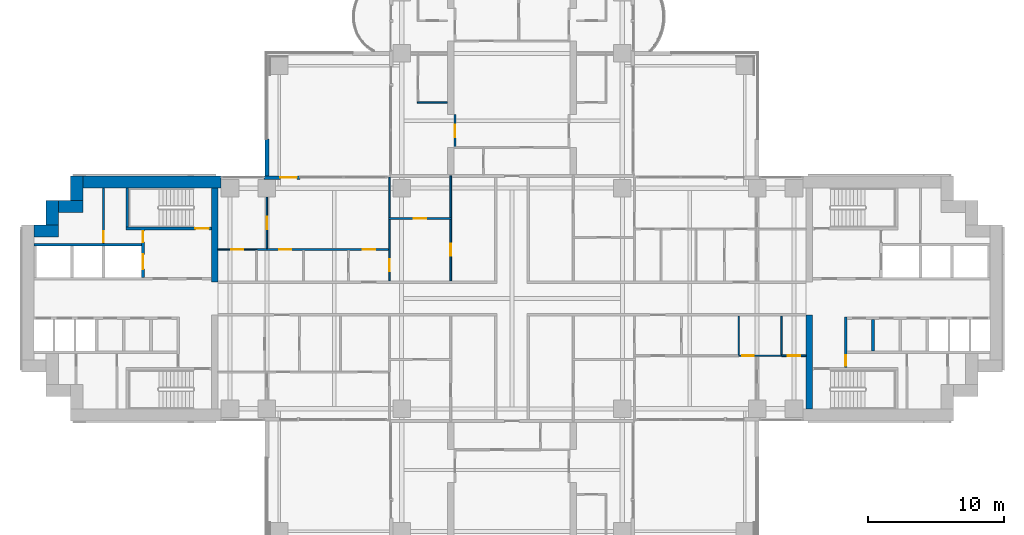
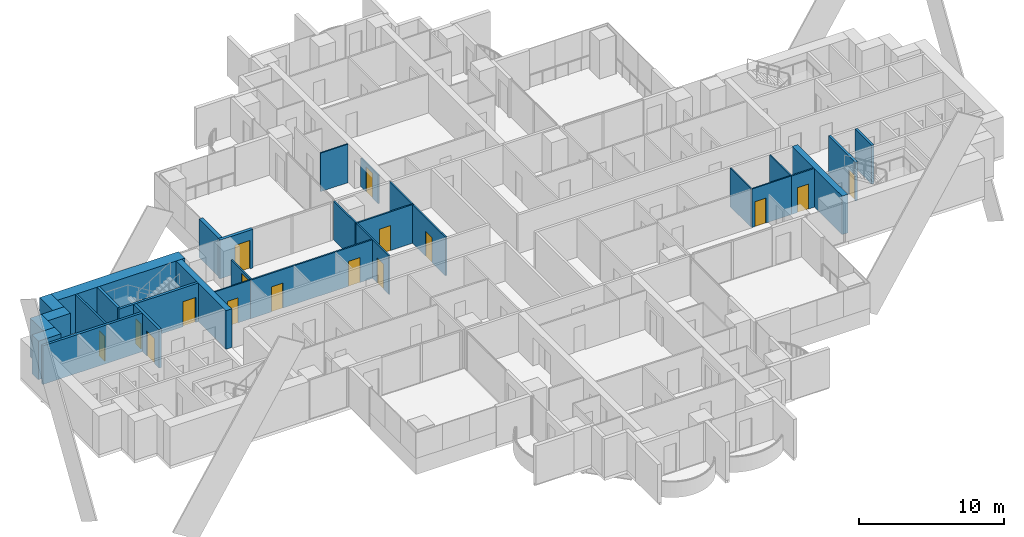
# One storey, part 14 of 23: 28 walls, 16 doors, 16 openings.
"""IFC4 building model written with IfcOpenShell, lengths in metres."""

from ifc_helpers import new_model, si_unit, direction, frame, frame_2d, origin, place, context, subcontext, project, spatial, rectangle, extrude, material, layer, layer_set, type_object, element, fill, save


model = new_model("IFC4")

# Units and contexts
model_context = context("Model", 3, precision=1e-05, world=origin(), true_north=direction((0.0, 1.0)))
body_context = subcontext(model_context, "Body", "Model", "MODEL_VIEW")
ifc_project = project(units=[si_unit("LENGTHUNIT", "METRE"), si_unit("AREAUNIT", "SQUARE_METRE"), si_unit("VOLUMEUNIT", "CUBIC_METRE"), si_unit("PLANEANGLEUNIT", "RADIAN"), si_unit("MASSUNIT", "GRAM", prefix="KILO")], contexts=[model_context])

# Site, building, storey
site_placement = place(None, origin())
site = spatial("IfcSite", under=ifc_project, at=site_placement, CompositionType="ELEMENT")
building_placement = place(site_placement, origin())
building = spatial("IfcBuilding", under=site, at=building_placement, Name="Perihelion Cross Residences", CompositionType="ELEMENT")
storey_placement = place(building_placement, frame((0.0, 0.0, 85.5)))
storey = spatial("IfcBuildingStorey", under=building, at=storey_placement, Name="L19", CompositionType="ELEMENT", Elevation=85.5)

# Wall, opening, door
ifc_material_1 = material(Name="Concrete C30/37, bronze-clad", Category="concrete")
ifc_layer_1 = layer(ifc_material_1, 0.25)
ifc_layer_set_1 = layer_set([ifc_layer_1], Name="Bronze-clad pier wall 250")
wall_type_1 = type_object("IfcWallType", Name="Bronze-clad pier wall 250", PredefinedType="SOLIDWALL", material=ifc_layer_set_1)
wall_1_placement = place(storey_placement, frame((-15.550048828125, 8.875, 0.0), z_axis=(0.0, 0.0, 1.0), x_axis=(-1.0, 0.0, 0.0)))
wall_1 = element("IfcWall", 1, at=wall_1_placement, inside=storey, type_object=wall_type_1, Name="Wall FW1 L19 west side north bay 1 pier", PredefinedType="SOLIDWALL", context=body_context, shape_type="SweptSolid", body=[
    extrude(rectangle(XDim=2.64990234375, YDim=0.25, at=frame_2d((1.324951171875, 0.0))), origin(), (0.0, 0.0, 1.0), 3.25),
])
opening_1_placement = place(wall_1_placement, frame((0.25, 0.0, 0.0)))
opening_1 = element("IfcOpeningElement", 2, at=opening_1_placement, cuts=wall_1, Name="Opening L19.E08", PredefinedType="OPENING", context=body_context, shape_type="SweptSolid", body=[
    extrude(rectangle(XDim=1.199951171875, YDim=2.39990234375, at=frame_2d((0.60009765625, 1.199951171875))), frame((0.0, 0.135009765625, 0.0), z_axis=(0.0, -1.0, 0.0), x_axis=(1.0, 0.0, 0.0)), (0.0, 0.0, 1.0), 0.27001953125),
])
ifc_material_2 = material(Name="Bronze anodised aluminium, glazed", Category="aluminium")
door_type_1 = type_object("IfcDoorType", Name="Balcony door 1200 x 2400", OperationType="NOTDEFINED", PredefinedType="DOOR", material=ifc_material_2)
door_1_placement = place(opening_1_placement, origin())
door_1 = element("IfcDoor", 3, at=door_1_placement, inside=storey, type_object=door_type_1, Name="Door L19.E08 west side north bay 1", OperationType="SINGLE_SWING_LEFT", OverallHeight=2.39990234375, OverallWidth=1.199951171875, PredefinedType="DOOR", context=body_context, shape_type="SweptSolid", body=[
    extrude(rectangle(XDim=1.199951171875, YDim=2.39990234375, at=frame_2d((0.60009765625, 1.199951171875))), frame((0.0, 0.02490234375, 0.0), z_axis=(0.0, -1.0, 0.0), x_axis=(1.0, 0.0, 0.0)), (0.0, 0.0, 1.0), 0.050048828125),
])
fill(opening_1, door_1)

# Walls
ifc_material_3 = material(Name="Concrete C60/75", Category="concrete")
ifc_layer_2 = layer(ifc_material_3, 0.449951171875)
ifc_layer_set_2 = layer_set([ifc_layer_2], Name="Core wall, inner 450")
wall_type_2 = type_object("IfcWallType", Name="Core wall, inner 450", PredefinedType="SHEAR", material=ifc_layer_set_2)
for number, where, z_axis, x_axis, name in (
    (4, (21.824951171875, -8.10009765625, 0.0), (0.0, 0.0, 1.0), (0.0, 1.0, 0.0), "East core core wall, inner"),
    (5, (-21.824951171875, 1.199951171875, 0.0), (0.0, 0.0, 1.0), (0.0, 1.0, 0.0), "West core core wall, inner"),
):
    element("IfcWall", number, at=place(storey_placement, frame(where, z_axis=z_axis, x_axis=x_axis)), inside=storey, type_object=wall_type_2, Name=name, PredefinedType="SHEAR", context=body_context, shape_type="SweptSolid", body=[
        extrude(rectangle(XDim=6.900146484375, YDim=0.449951171875, at=frame_2d((3.4501953125, 0.0))), origin(), (0.0, 0.0, 1.0), 3.25),
    ])
ifc_material_4 = material(Name="Concrete C60/75", Category="concrete")
ifc_layer_3 = layer(ifc_material_4, 0.89990234375)
ifc_layer_set_3 = layer_set([ifc_layer_3], Name="Core wall, outer 900")
wall_type_3 = type_object("IfcWallType", Name="Core wall, outer 900", PredefinedType="SHEAR", material=ifc_layer_set_3)
for number, where, z_axis, x_axis, name in (
    (6, (-35.10009765625, 4.949951171875, 0.0), (0.0, 0.0, 1.0), (1.0, 0.0, 0.0), "West core core wall, outer"),
    (7, (-33.75, 5.39990234375, 0.0), (0.0, 0.0, 1.0), (0.0, 1.0, 0.0), "West core core wall, outer"),
    (8, (-33.300048828125, 6.75, 0.0), (0.0, 0.0, 1.0), (1.0, 0.0, 0.0), "West core core wall, outer"),
    (9, (-31.949951171875, 7.199951171875, 0.0), (0.0, 0.0, 1.0), (0.0, 1.0, 0.0), "West core core wall, outer"),
):
    element("IfcWall", number, at=place(storey_placement, frame(where, z_axis=z_axis, x_axis=x_axis)), inside=storey, type_object=wall_type_3, Name=name, PredefinedType="SHEAR", context=body_context, shape_type="SweptSolid", body=[
        extrude(rectangle(XDim=1.800048828125, YDim=0.89990234375, at=frame_2d((0.89990234375, 0.0))), origin(), (0.0, 0.0, 1.0), 3.25),
    ])
wall_2_placement = place(storey_placement, frame((-31.5, 8.550048828125, 0.0), z_axis=(0.0, 0.0, 1.0), x_axis=(1.0, 0.0, 0.0)))
element("IfcWall", 10, at=wall_2_placement, inside=storey, type_object=wall_type_3, Name="West core core wall, outer", PredefinedType="SHEAR", context=body_context, shape_type="SweptSolid", body=[
    extrude(rectangle(XDim=10.14990234375, YDim=0.89990234375, at=frame_2d((5.074951171875, 0.0))), origin(), (0.0, 0.0, 1.0), 3.25),
])

# Wall, opening, door
ifc_material_5 = material(Name="Plasterboard partition")
ifc_layer_4 = layer(ifc_material_5, 0.1201171875)
ifc_layer_set_4 = layer_set([ifc_layer_4], Name="Infill panel 120")
wall_type_4 = type_object("IfcWallType", Name="Infill panel 120", PredefinedType="PARTITIONING", material=ifc_layer_set_4)
wall_3_placement = place(storey_placement, frame((-4.18994140625, 11.10009765625, 0.0), z_axis=(0.0, 0.0, 1.0), x_axis=(0.0, 1.0, 0.0)))
wall_3 = element("IfcWall", 11, at=wall_3_placement, inside=storey, type_object=wall_type_4, Name="Partition L19 WI03", PredefinedType="PARTITIONING", context=body_context, shape_type="SweptSolid", body=[
    extrude(rectangle(XDim=2.39990234375, YDim=0.1201171875, at=frame_2d((1.199951171875, 0.0))), origin(), (0.0, 0.0, 1.0), 2.39990234375),
])
opening_2_placement = place(wall_3_placement, frame((0.75, 0.0, 0.0)))
opening_2 = element("IfcOpeningElement", 12, at=opening_2_placement, cuts=wall_3, Name="Opening L19.A59", PredefinedType="OPENING", context=body_context, shape_type="SweptSolid", body=[
    extrude(rectangle(XDim=0.89990234375, YDim=2.10009765625, at=frame_2d((0.449951171875, 1.050048828125))), frame((0.0, 0.070068359375, 0.0), z_axis=(0.0, -1.0, 0.0), x_axis=(1.0, 0.0, 0.0)), (0.0, 0.0, 1.0), 0.14013671875),
])
ifc_material_6 = material(Name="Timber door leaf", Category="wood")
door_type_2 = type_object("IfcDoorType", Name="Interior room door 900 x 2100", OperationType="SINGLE_SWING_LEFT", PredefinedType="DOOR", material=ifc_material_6)
door_2_placement = place(opening_2_placement, origin())
door_2 = element("IfcDoor", 13, at=door_2_placement, inside=storey, type_object=door_type_2, Name="Door L19.A59", OperationType="SINGLE_SWING_RIGHT", OverallHeight=2.10009765625, OverallWidth=0.89990234375, PredefinedType="DOOR", context=body_context, shape_type="SweptSolid", body=[
    extrude(rectangle(XDim=0.89990234375, YDim=2.10009765625, at=frame_2d((0.449951171875, 1.050048828125))), frame((0.0, 0.02490234375, 0.0), z_axis=(0.0, -1.0, 0.0), x_axis=(1.0, 0.0, 0.0)), (0.0, 0.0, 1.0), 0.050048828125),
])
fill(opening_2, door_2)

ifc_material_7 = material(Name="Concrete C50/60", Category="concrete")
ifc_layer_5 = layer(ifc_material_7, 0.199951171875)
ifc_layer_set_5 = layer_set([ifc_layer_5], Name="Lobby wall 200")
wall_type_5 = type_object("IfcWallType", Name="Lobby wall 200", PredefinedType="SOLIDWALL", material=ifc_layer_set_5)
wall_4_placement = place(storey_placement, frame((24.5, -5.050048828125, 0.0), z_axis=(0.0, 0.0, 1.0), x_axis=(0.0, 1.0, 0.0)))
wall_4 = element("IfcWall", 14, at=wall_4_placement, inside=storey, type_object=wall_type_5, Name="East core lobby wall", PredefinedType="SOLIDWALL", context=body_context, shape_type="SweptSolid", body=[
    extrude(rectangle(XDim=3.699951171875, YDim=0.199951171875, at=frame_2d((1.85009765625, 0.0))), origin(), (0.0, 0.0, 1.0), 3.25),
])
opening_3_placement = place(wall_4_placement, frame((0.10009765625, 0.0, 0.0)))
opening_3 = element("IfcOpeningElement", 15, at=opening_3_placement, cuts=wall_4, Name="Opening L19.C08", PredefinedType="OPENING", context=body_context, shape_type="SweptSolid", body=[
    extrude(rectangle(XDim=0.800048828125, YDim=2.10009765625, at=frame_2d((0.39990234375, 1.050048828125))), frame((0.0, 0.10986328125, 0.0), z_axis=(0.0, -1.0, 0.0), x_axis=(1.0, 0.0, 0.0)), (0.0, 0.0, 1.0), 0.219970703125),
])
ifc_material_8 = material(Name="Steel, powder coated", Category="steel")
door_type_3 = type_object("IfcDoorType", Name="Riser door 800", OperationType="SINGLE_SWING_LEFT", PredefinedType="DOOR", material=ifc_material_8)
door_3_placement = place(opening_3_placement, origin())
door_3 = element("IfcDoor", 16, at=door_3_placement, inside=storey, type_object=door_type_3, Name="East core riser door", OperationType="SINGLE_SWING_LEFT", OverallHeight=2.10009765625, OverallWidth=0.800048828125, PredefinedType="DOOR", context=body_context, shape_type="SweptSolid", body=[
    extrude(rectangle(XDim=0.800048828125, YDim=2.10009765625, at=frame_2d((0.39990234375, 1.050048828125))), frame((0.0, 0.02490234375, 0.0), z_axis=(0.0, -1.0, 0.0), x_axis=(1.0, 0.0, 0.0)), (0.0, 0.0, 1.0), 0.050048828125),
])
fill(opening_3, door_3)

ifc_material_9 = material(Name="Plasterboard partition")
ifc_layer_6 = layer(ifc_material_9, 0.1201171875)
ifc_layer_set_6 = layer_set([ifc_layer_6], Name="Partition wall 120")
wall_type_6 = type_object("IfcWallType", Name="Partition wall 120", PredefinedType="PARTITIONING", material=ifc_layer_set_6)
wall_5_placement = place(storey_placement, frame((21.60009765625, -4.199951171875, 0.0), z_axis=(0.0, 0.0, 1.0), x_axis=(-1.0, 0.0, 0.0)))
wall_5 = element("IfcWall", 17, at=wall_5_placement, inside=storey, type_object=wall_type_6, Name="Partition L19 W027", PredefinedType="PARTITIONING", context=body_context, shape_type="SweptSolid", body=[
    extrude(rectangle(XDim=1.800048828125, YDim=0.1201171875, at=frame_2d((0.89990234375, 0.0))), origin(), (0.0, 0.0, 1.0), 3.25),
])
opening_4_placement = place(wall_5_placement, frame((0.449951171875, 0.0, 0.0)))
opening_4 = element("IfcOpeningElement", 18, at=opening_4_placement, cuts=wall_5, Name="Opening L19.A17", PredefinedType="OPENING", context=body_context, shape_type="SweptSolid", body=[
    extrude(rectangle(XDim=0.89990234375, YDim=2.10009765625, at=frame_2d((0.449951171875, 1.050048828125))), frame((0.0, 0.070068359375, 0.0), z_axis=(0.0, -1.0, 0.0), x_axis=(1.0, 0.0, 0.0)), (0.0, 0.0, 1.0), 0.14013671875),
])
door_4_placement = place(opening_4_placement, origin())
door_4 = element("IfcDoor", 19, at=door_4_placement, inside=storey, type_object=door_type_2, Name="Door L19.A17", OperationType="SINGLE_SWING_LEFT", OverallHeight=2.10009765625, OverallWidth=0.89990234375, PredefinedType="DOOR", context=body_context, shape_type="SweptSolid", body=[
    extrude(rectangle(XDim=0.89990234375, YDim=2.10009765625, at=frame_2d((0.449951171875, 1.050048828125))), frame((0.0, 0.02490234375, 0.0), z_axis=(0.0, -1.0, 0.0), x_axis=(1.0, 0.0, 0.0)), (0.0, 0.0, 1.0), 0.050048828125),
])
fill(opening_4, door_4)

# Wall, openings, doors
wall_6_placement = place(storey_placement, frame((-18.75, 3.60009765625, 0.0), z_axis=(0.0, 0.0, 1.0), x_axis=(1.0, 0.0, 0.0)))
wall_6 = element("IfcWall", 20, at=wall_6_placement, inside=storey, type_object=wall_type_6, Name="Partition L19 W032", PredefinedType="PARTITIONING", context=body_context, shape_type="SweptSolid", body=[
    extrude(rectangle(XDim=9.81005859375, YDim=0.1201171875, at=frame_2d((4.905029296875, 0.0))), origin(), (0.0, 0.0, 1.0), 3.25),
])
opening_5_placement = place(wall_6_placement, frame((1.64990234375, 0.0, 0.0)))
opening_5 = element("IfcOpeningElement", 21, at=opening_5_placement, cuts=wall_6, Name="Opening L19.A22", PredefinedType="OPENING", context=body_context, shape_type="SweptSolid", body=[
    extrude(rectangle(XDim=0.89990234375, YDim=2.10009765625, at=frame_2d((0.449951171875, 1.050048828125))), frame((0.0, 0.070068359375, 0.0), z_axis=(0.0, -1.0, 0.0), x_axis=(1.0, 0.0, 0.0)), (0.0, 0.0, 1.0), 0.14013671875),
])
opening_6_placement = place(wall_6_placement, frame((7.800048828125, 0.0, 0.0)))
opening_6 = element("IfcOpeningElement", 22, at=opening_6_placement, cuts=wall_6, Name="Opening L19.A25", PredefinedType="OPENING", context=body_context, shape_type="SweptSolid", body=[
    extrude(rectangle(XDim=0.89990234375, YDim=2.10009765625, at=frame_2d((0.449951171875, 1.050048828125))), frame((0.0, 0.070068359375, 0.0), z_axis=(0.0, -1.0, 0.0), x_axis=(1.0, 0.0, 0.0)), (0.0, 0.0, 1.0), 0.14013671875),
])
door_5_placement = place(opening_5_placement, origin())
door_5 = element("IfcDoor", 23, at=door_5_placement, inside=storey, type_object=door_type_2, Name="Door L19.A22", OperationType="SINGLE_SWING_RIGHT", OverallHeight=2.10009765625, OverallWidth=0.89990234375, PredefinedType="DOOR", context=body_context, shape_type="SweptSolid", body=[
    extrude(rectangle(XDim=0.89990234375, YDim=2.10009765625, at=frame_2d((0.449951171875, 1.050048828125))), frame((0.0, 0.02490234375, 0.0), z_axis=(0.0, -1.0, 0.0), x_axis=(1.0, 0.0, 0.0)), (0.0, 0.0, 1.0), 0.050048828125),
])
fill(opening_5, door_5)
door_6_placement = place(opening_6_placement, origin())
door_6 = element("IfcDoor", 24, at=door_6_placement, inside=storey, type_object=door_type_2, Name="Door L19.A25", OperationType="SINGLE_SWING_LEFT", OverallHeight=2.10009765625, OverallWidth=0.89990234375, PredefinedType="DOOR", context=body_context, shape_type="SweptSolid", body=[
    extrude(rectangle(XDim=0.89990234375, YDim=2.10009765625, at=frame_2d((0.449951171875, 1.050048828125))), frame((0.0, 0.02490234375, 0.0), z_axis=(0.0, -1.0, 0.0), x_axis=(1.0, 0.0, 0.0)), (0.0, 0.0, 1.0), 0.050048828125),
])
fill(opening_6, door_6)

# Wall, opening, door
wall_7_placement = place(storey_placement, frame((-9.0, 8.919921875, 0.0), z_axis=(0.0, 0.0, 1.0), x_axis=(0.0, -1.0, 0.0)))
wall_7 = element("IfcWall", 25, at=wall_7_placement, inside=storey, type_object=wall_type_6, Name="Partition L19 W033", PredefinedType="PARTITIONING", context=body_context, shape_type="SweptSolid", body=[
    extrude(rectangle(XDim=7.619873046875, YDim=0.1201171875, at=frame_2d((3.81005859375, 0.0))), origin(), (0.0, 0.0, 1.0), 3.25),
])
opening_7_placement = place(wall_7_placement, frame((6.02001953125, 0.0, 0.0)))
opening_7 = element("IfcOpeningElement", 26, at=opening_7_placement, cuts=wall_7, Name="Opening L19.A20", PredefinedType="OPENING", context=body_context, shape_type="SweptSolid", body=[
    extrude(rectangle(XDim=0.89990234375, YDim=2.10009765625, at=frame_2d((0.449951171875, 1.050048828125))), frame((0.0, 0.070068359375, 0.0), z_axis=(0.0, -1.0, 0.0), x_axis=(1.0, 0.0, 0.0)), (0.0, 0.0, 1.0), 0.14013671875),
])
door_7_placement = place(opening_7_placement, origin())
door_7 = element("IfcDoor", 27, at=door_7_placement, inside=storey, type_object=door_type_2, Name="Door L19.A20", OperationType="SINGLE_SWING_RIGHT", OverallHeight=2.10009765625, OverallWidth=0.89990234375, PredefinedType="DOOR", context=body_context, shape_type="SweptSolid", body=[
    extrude(rectangle(XDim=0.89990234375, YDim=2.10009765625, at=frame_2d((0.449951171875, 1.050048828125))), frame((0.0, 0.02490234375, 0.0), z_axis=(0.0, -1.0, 0.0), x_axis=(1.0, 0.0, 0.0)), (0.0, 0.0, 1.0), 0.050048828125),
])
fill(opening_7, door_7)

wall_8_placement = place(storey_placement, frame((-18.0, 3.659912109375, 0.0), z_axis=(0.0, 0.0, 1.0), x_axis=(0.0, 1.0, 0.0)))
wall_8 = element("IfcWall", 28, at=wall_8_placement, inside=storey, type_object=wall_type_6, Name="Partition L19 W037", PredefinedType="PARTITIONING", context=body_context, shape_type="SweptSolid", body=[
    extrude(rectangle(XDim=3.7900390625, YDim=0.1201171875, at=frame_2d((1.89501953125, 0.0))), origin(), (0.0, 0.0, 1.0), 2.345947265625),
])
opening_8_placement = place(wall_8_placement, frame((1.445068359375, 0.0, 0.0)))
opening_8 = element("IfcOpeningElement", 29, at=opening_8_placement, cuts=wall_8, Name="Opening L19.A24", PredefinedType="OPENING", context=body_context, shape_type="SweptSolid", body=[
    extrude(rectangle(XDim=0.89990234375, YDim=2.10009765625, at=frame_2d((0.449951171875, 1.050048828125))), frame((0.0, 0.070068359375, 0.0), z_axis=(0.0, -1.0, 0.0), x_axis=(1.0, 0.0, 0.0)), (0.0, 0.0, 1.0), 0.14013671875),
])
door_8_placement = place(opening_8_placement, origin())
door_8 = element("IfcDoor", 30, at=door_8_placement, inside=storey, type_object=door_type_2, Name="Door L19.A24", OperationType="SINGLE_SWING_RIGHT", OverallHeight=2.10009765625, OverallWidth=0.89990234375, PredefinedType="DOOR", context=body_context, shape_type="SweptSolid", body=[
    extrude(rectangle(XDim=0.89990234375, YDim=2.10009765625, at=frame_2d((0.449951171875, 1.050048828125))), frame((0.0, 0.02490234375, 0.0), z_axis=(0.0, -1.0, 0.0), x_axis=(1.0, 0.0, 0.0)), (0.0, 0.0, 1.0), 0.050048828125),
])
fill(opening_8, door_8)

wall_9_placement = place(storey_placement, frame((-9.06005859375, 5.8798828125, 0.0), z_axis=(0.0, 0.0, 1.0), x_axis=(1.0, 0.0, 0.0)))
wall_9 = element("IfcWall", 31, at=wall_9_placement, inside=storey, type_object=wall_type_6, Name="Partition L19 W038", PredefinedType="PARTITIONING", context=body_context, shape_type="SweptSolid", body=[
    extrude(rectangle(XDim=4.6201171875, YDim=0.1201171875, at=frame_2d((2.31005859375, 0.0))), origin(), (0.0, 0.0, 1.0), 3.25),
])
opening_9_placement = place(wall_9_placement, frame((1.860107421875, 0.0, 0.0)))
opening_9 = element("IfcOpeningElement", 32, at=opening_9_placement, cuts=wall_9, Name="Opening L19.A23", PredefinedType="OPENING", context=body_context, shape_type="SweptSolid", body=[
    extrude(rectangle(XDim=0.89990234375, YDim=2.10009765625, at=frame_2d((0.449951171875, 1.050048828125))), frame((0.0, 0.070068359375, 0.0), z_axis=(0.0, -1.0, 0.0), x_axis=(1.0, 0.0, 0.0)), (0.0, 0.0, 1.0), 0.14013671875),
])
door_9_placement = place(opening_9_placement, origin())
door_9 = element("IfcDoor", 33, at=door_9_placement, inside=storey, type_object=door_type_2, Name="Door L19.A23", OperationType="SINGLE_SWING_LEFT", OverallHeight=2.10009765625, OverallWidth=0.89990234375, PredefinedType="DOOR", context=body_context, shape_type="SweptSolid", body=[
    extrude(rectangle(XDim=0.89990234375, YDim=2.10009765625, at=frame_2d((0.449951171875, 1.050048828125))), frame((0.0, 0.02490234375, 0.0), z_axis=(0.0, -1.0, 0.0), x_axis=(1.0, 0.0, 0.0)), (0.0, 0.0, 1.0), 0.050048828125),
])
fill(opening_9, door_9)

wall_10_placement = place(storey_placement, frame((-4.5, 9.0, 0.0), z_axis=(0.0, 0.0, 1.0), x_axis=(0.0, -1.0, 0.0)))
wall_10 = element("IfcWall", 34, at=wall_10_placement, inside=storey, type_object=wall_type_6, Name="Partition L19 W039", PredefinedType="PARTITIONING", context=body_context, shape_type="SweptSolid", body=[
    extrude(rectangle(XDim=7.699951171875, YDim=0.1201171875, at=frame_2d((3.85009765625, 0.0))), origin(), (0.0, 0.0, 1.0), 3.25),
])
opening_10_placement = place(wall_10_placement, frame((4.9599609375, 0.0, 0.0)))
opening_10 = element("IfcOpeningElement", 35, at=opening_10_placement, cuts=wall_10, Name="Opening L19.A19", PredefinedType="OPENING", context=body_context, shape_type="SweptSolid", body=[
    extrude(rectangle(XDim=0.89990234375, YDim=2.10009765625, at=frame_2d((0.449951171875, 1.050048828125))), frame((0.0, 0.070068359375, 0.0), z_axis=(0.0, -1.0, 0.0), x_axis=(1.0, 0.0, 0.0)), (0.0, 0.0, 1.0), 0.14013671875),
])
door_10_placement = place(opening_10_placement, origin())
door_10 = element("IfcDoor", 36, at=door_10_placement, inside=storey, type_object=door_type_2, Name="Door L19.A19", OperationType="SINGLE_SWING_RIGHT", OverallHeight=2.10009765625, OverallWidth=0.89990234375, PredefinedType="DOOR", context=body_context, shape_type="SweptSolid", body=[
    extrude(rectangle(XDim=0.89990234375, YDim=2.10009765625, at=frame_2d((0.449951171875, 1.050048828125))), frame((0.0, 0.02490234375, 0.0), z_axis=(0.0, -1.0, 0.0), x_axis=(1.0, 0.0, 0.0)), (0.0, 0.0, 1.0), 0.050048828125),
])
fill(opening_10, door_10)

# Wall
ifc_material_10 = material(Name="Precast concrete C50/60", Category="concrete")
ifc_layer_7 = layer(ifc_material_10, 0.300048828125)
ifc_layer_set_7 = layer_set([ifc_layer_7], Name="Precast concrete C50/60 blade wall 300")
wall_type_7 = type_object("IfcWallType", Name="Precast concrete C50/60 blade wall 300", PredefinedType="SOLIDWALL", material=ifc_layer_set_7)
wall_11_placement = place(storey_placement, frame((-18.0, 8.75, 0.0), z_axis=(0.0, 0.0, 1.0), x_axis=(0.0, 1.0, 0.0)))
element("IfcWall", 37, at=wall_11_placement, inside=storey, type_object=wall_type_7, Name="Wall BL1 L19 no. 2", PredefinedType="SOLIDWALL", context=body_context, shape_type="SweptSolid", body=[
    extrude(rectangle(XDim=2.949951171875, YDim=0.300048828125, at=frame_2d((1.47509765625, 0.0))), origin(), (0.0, 0.0, 1.0), 3.25),
])

# Wall, opening, door
ifc_material_11 = material(Name="Fire-rated board on steel stud", Category="steel")
ifc_layer_8 = layer(ifc_material_11, 0.14990234375)
ifc_layer_set_8 = layer_set([ifc_layer_8], Name="Riser wall 150")
wall_type_8 = type_object("IfcWallType", Name="Riser wall 150", PredefinedType="PARTITIONING", material=ifc_layer_set_8)
wall_12_placement = place(storey_placement, frame((-30.0, 4.050048828125, 0.0), z_axis=(0.0, 0.0, 1.0), x_axis=(0.0, 1.0, 0.0)))
wall_12 = element("IfcWall", 38, at=wall_12_placement, inside=storey, type_object=wall_type_8, Name="West core riser wall", PredefinedType="PARTITIONING", context=body_context, shape_type="SweptSolid", body=[
    extrude(rectangle(XDim=4.050048828125, YDim=0.14990234375, at=frame_2d((2.02490234375, 0.0))), origin(), (0.0, 0.0, 1.0), 3.25),
])
opening_11_placement = place(wall_12_placement, frame((0.10009765625, 0.0, 0.0)))
opening_11 = element("IfcOpeningElement", 39, at=opening_11_placement, cuts=wall_12, Name="Opening L19.C31", PredefinedType="OPENING", context=body_context, shape_type="SweptSolid", body=[
    extrude(rectangle(XDim=0.800048828125, YDim=2.10009765625, at=frame_2d((0.39990234375, 1.050048828125))), frame((0.0, 0.0849609375, 0.0), z_axis=(0.0, -1.0, 0.0), x_axis=(1.0, 0.0, 0.0)), (0.0, 0.0, 1.0), 0.169921875),
])
door_11_placement = place(opening_11_placement, origin())
door_11 = element("IfcDoor", 40, at=door_11_placement, inside=storey, type_object=door_type_3, Name="West core riser door", OperationType="SINGLE_SWING_LEFT", OverallHeight=2.10009765625, OverallWidth=0.800048828125, PredefinedType="DOOR", context=body_context, shape_type="SweptSolid", body=[
    extrude(rectangle(XDim=0.800048828125, YDim=2.10009765625, at=frame_2d((0.39990234375, 1.050048828125))), frame((0.0, 0.02490234375, 0.0), z_axis=(0.0, -1.0, 0.0), x_axis=(1.0, 0.0, 0.0)), (0.0, 0.0, 1.0), 0.050048828125),
])
fill(opening_11, door_11)

# Walls
ifc_material_12 = material(Name="Fire-rated board on steel stud", Category="steel")
ifc_layer_9 = layer(ifc_material_12, 0.199951171875)
ifc_layer_set_9 = layer_set([ifc_layer_9], Name="Riser wall 200")
wall_type_9 = type_object("IfcWallType", Name="Riser wall 200", PredefinedType="PARTITIONING", material=ifc_layer_set_9)
wall_13_placement = place(storey_placement, frame((26.5, -3.85009765625, 0.0), z_axis=(0.0, 0.0, 1.0), x_axis=(0.0, 1.0, 0.0)))
element("IfcWall", 41, at=wall_13_placement, inside=storey, type_object=wall_type_9, Name="East core riser wall", PredefinedType="PARTITIONING", context=body_context, shape_type="SweptSolid", body=[
    extrude(rectangle(XDim=2.300048828125, YDim=0.199951171875, at=frame_2d((1.14990234375, 0.0))), origin(), (0.0, 0.0, 1.0), 3.25),
])
ifc_material_13 = material(Name="Concrete C50/60", Category="concrete")
ifc_layer_10 = layer(ifc_material_13, 0.199951171875)
ifc_layer_set_10 = layer_set([ifc_layer_10], Name="Shaft wall 200")
wall_type_10 = type_object("IfcWallType", Name="Shaft wall 200", PredefinedType="SOLIDWALL", material=ifc_layer_set_10)
wall_14_placement = place(storey_placement, frame((-35.10009765625, 3.949951171875, 0.0), z_axis=(0.0, 0.0, 1.0), x_axis=(1.0, 0.0, 0.0)))
element("IfcWall", 42, at=wall_14_placement, inside=storey, type_object=wall_type_10, Name="West core shaft wall", PredefinedType="SOLIDWALL", context=body_context, shape_type="SweptSolid", body=[
    extrude(rectangle(XDim=7.900146484375, YDim=0.199951171875, at=frame_2d((3.9501953125, 0.0))), origin(), (0.0, 0.0, 1.0), 3.25),
])

# Wall, openings, doors
wall_15_placement = place(storey_placement, frame((-27.10009765625, 1.550048828125, 0.0), z_axis=(0.0, 0.0, 1.0), x_axis=(0.0, 1.0, 0.0)))
wall_15 = element("IfcWall", 43, at=wall_15_placement, inside=storey, type_object=wall_type_10, Name="West core shaft wall", PredefinedType="SOLIDWALL", context=body_context, shape_type="SweptSolid", body=[
    extrude(rectangle(XDim=3.5, YDim=0.199951171875, at=frame_2d((1.75, 0.0))), origin(), (0.0, 0.0, 1.0), 3.25),
])
opening_12_placement = place(wall_15_placement, frame((0.60009765625, 0.0, 0.0)))
opening_12 = element("IfcOpeningElement", 44, at=opening_12_placement, cuts=wall_15, Name="Opening L19.C17", PredefinedType="OPENING", context=body_context, shape_type="SweptSolid", body=[
    extrude(rectangle(XDim=1.10009765625, YDim=2.10009765625, at=frame_2d((0.550048828125, 1.050048828125))), frame((0.0, 0.10986328125, 0.0), z_axis=(0.0, -1.0, 0.0), x_axis=(1.0, 0.0, 0.0)), (0.0, 0.0, 1.0), 0.219970703125),
])
opening_13_placement = place(wall_15_placement, frame((2.60009765625, 0.0, 0.0)))
opening_13 = element("IfcOpeningElement", 45, at=opening_13_placement, cuts=wall_15, Name="Opening L19.C27", PredefinedType="OPENING", context=body_context, shape_type="SweptSolid", body=[
    extrude(rectangle(XDim=0.800048828125, YDim=2.10009765625, at=frame_2d((0.39990234375, 1.050048828125))), frame((0.0, 0.10986328125, 0.0), z_axis=(0.0, -1.0, 0.0), x_axis=(1.0, 0.0, 0.0)), (0.0, 0.0, 1.0), 0.219970703125),
])
ifc_material_14 = material(Name="Stainless steel", Category="steel")
door_type_4 = type_object("IfcDoorType", Name="Landing door, firefighting lift 1100", OperationType="DOUBLE_DOOR_SLIDING", PredefinedType="DOOR", material=ifc_material_14)
door_12_placement = place(opening_12_placement, origin())
door_12 = element("IfcDoor", 46, at=door_12_placement, inside=storey, type_object=door_type_4, Name="Landing door, West core firefighting and service lift", OperationType="DOUBLE_DOOR_SLIDING", OverallHeight=2.10009765625, OverallWidth=1.10009765625, PredefinedType="DOOR", context=body_context, shape_type="SweptSolid", body=[
    extrude(rectangle(XDim=1.10009765625, YDim=2.10009765625, at=frame_2d((0.550048828125, 1.050048828125))), frame((0.0, 0.02490234375, 0.0), z_axis=(0.0, -1.0, 0.0), x_axis=(1.0, 0.0, 0.0)), (0.0, 0.0, 1.0), 0.050048828125),
])
fill(opening_12, door_12)
door_13_placement = place(opening_13_placement, origin())
door_13 = element("IfcDoor", 47, at=door_13_placement, inside=storey, type_object=door_type_3, Name="West core riser door", OperationType="SINGLE_SWING_LEFT", OverallHeight=2.10009765625, OverallWidth=0.800048828125, PredefinedType="DOOR", context=body_context, shape_type="SweptSolid", body=[
    extrude(rectangle(XDim=0.800048828125, YDim=2.10009765625, at=frame_2d((0.39990234375, 1.050048828125))), frame((0.0, 0.02490234375, 0.0), z_axis=(0.0, -1.0, 0.0), x_axis=(1.0, 0.0, 0.0)), (0.0, 0.0, 1.0), 0.050048828125),
])
fill(opening_13, door_13)

# Wall, opening, door
ifc_material_15 = material(Name="Concrete C50/60", Category="concrete")
ifc_layer_11 = layer(ifc_material_15, 0.199951171875)
ifc_layer_set_11 = layer_set([ifc_layer_11], Name="Stair wall 200")
wall_type_11 = type_object("IfcWallType", Name="Stair wall 200", PredefinedType="SOLIDWALL", material=ifc_layer_set_11)
wall_16_placement = place(storey_placement, frame((-28.35009765625, 5.14990234375, 0.0), z_axis=(0.0, 0.0, 1.0), x_axis=(1.0, 0.0, 0.0)))
wall_16 = element("IfcWall", 48, at=wall_16_placement, inside=storey, type_object=wall_type_11, Name="West core stair wall", PredefinedType="SOLIDWALL", context=body_context, shape_type="SweptSolid", body=[
    extrude(rectangle(XDim=6.300048828125, YDim=0.199951171875, at=frame_2d((3.14990234375, 0.0))), origin(), (0.0, 0.0, 1.0), 3.25),
])
opening_14_placement = place(wall_16_placement, frame((5.10009765625, 0.0, 0.0)))
opening_14 = element("IfcOpeningElement", 49, at=opening_14_placement, cuts=wall_16, Name="Opening L19.C22", PredefinedType="OPENING", context=body_context, shape_type="SweptSolid", body=[
    extrude(rectangle(XDim=1.0, YDim=2.10009765625, at=frame_2d((0.5, 1.050048828125))), frame((0.0, 0.10986328125, 0.0), z_axis=(0.0, -1.0, 0.0), x_axis=(1.0, 0.0, 0.0)), (0.0, 0.0, 1.0), 0.219970703125),
])
ifc_material_16 = material(Name="Steel, powder coated", Category="steel")
door_type_5 = type_object("IfcDoorType", Name="Stair door 1000", OperationType="SINGLE_SWING_LEFT", PredefinedType="DOOR", material=ifc_material_16)
door_14_placement = place(opening_14_placement, origin())
door_14 = element("IfcDoor", 50, at=door_14_placement, inside=storey, type_object=door_type_5, Name="West core stair door", OperationType="SINGLE_SWING_LEFT", OverallHeight=2.10009765625, OverallWidth=1.0, PredefinedType="DOOR", context=body_context, shape_type="SweptSolid", body=[
    extrude(rectangle(XDim=1.0, YDim=2.10009765625, at=frame_2d((0.5, 1.050048828125))), frame((0.0, 0.02490234375, 0.0), z_axis=(0.0, -1.0, 0.0), x_axis=(1.0, 0.0, 0.0)), (0.0, 0.0, 1.0), 0.050048828125),
])
fill(opening_14, door_14)

# Walls
wall_17_placement = place(storey_placement, frame((-28.25, 5.25, 0.0), z_axis=(0.0, 0.0, 1.0), x_axis=(0.0, 1.0, 0.0)))
element("IfcWall", 51, at=wall_17_placement, inside=storey, type_object=wall_type_11, Name="West core stair wall", PredefinedType="SOLIDWALL", context=body_context, shape_type="SweptSolid", body=[
    extrude(rectangle(XDim=2.85009765625, YDim=0.199951171875, at=frame_2d((1.425048828125, 0.0))), origin(), (0.0, 0.0, 1.0), 3.25),
])
ifc_material_17 = material(Name="Plasterboard partition")
ifc_layer_12 = layer(ifc_material_17, 0.10009765625)
ifc_layer_set_12 = layer_set([ifc_layer_12], Name="Wet room wall 100")
wall_type_12 = type_object("IfcWallType", Name="Wet room wall 100", PredefinedType="PARTITIONING", material=ifc_layer_set_12)
for number, where, z_axis, x_axis, name in (
    (52, (16.64990234375, -1.300048828125, 0.0), (0.0, 0.0, 1.0), (0.0, -1.0, 0.0), "Partition L19 W024"),
    (53, (19.800048828125, -1.300048828125, 0.0), (0.0, 0.0, 1.0), (0.0, -1.0, 0.0), "Partition L19 W025"),
):
    element("IfcWall", number, at=place(storey_placement, frame(where, z_axis=z_axis, x_axis=x_axis)), inside=storey, type_object=wall_type_12, Name=name, PredefinedType="PARTITIONING", context=body_context, shape_type="SweptSolid", body=[
        extrude(rectangle(XDim=2.83984375, YDim=0.10009765625, at=frame_2d((1.419921875, 0.0))), origin(), (0.0, 0.0, 1.0), 3.25),
    ])

# Wall, opening, door
wall_18_placement = place(storey_placement, frame((19.800048828125, -4.199951171875, 0.0), z_axis=(0.0, 0.0, 1.0), x_axis=(-1.0, 0.0, 0.0)))
wall_18 = element("IfcWall", 54, at=wall_18_placement, inside=storey, type_object=wall_type_12, Name="Partition L19 W026", PredefinedType="PARTITIONING", context=body_context, shape_type="SweptSolid", body=[
    extrude(rectangle(XDim=3.150146484375, YDim=0.10009765625, at=frame_2d((1.5751953125, 0.0))), origin(), (0.0, 0.0, 1.0), 3.25),
])
opening_15_placement = place(wall_18_placement, frame((2.050048828125, 0.0, 0.0)))
opening_15 = element("IfcOpeningElement", 55, at=opening_15_placement, cuts=wall_18, Name="Opening L19.A10", PredefinedType="OPENING", context=body_context, shape_type="SweptSolid", body=[
    extrude(rectangle(XDim=0.85009765625, YDim=2.10009765625, at=frame_2d((0.425048828125, 1.050048828125))), frame((0.0, 0.06005859375, 0.0), z_axis=(0.0, -1.0, 0.0), x_axis=(1.0, 0.0, 0.0)), (0.0, 0.0, 1.0), 0.1201171875),
])
ifc_material_18 = material(Name="Timber door leaf", Category="wood")
door_type_6 = type_object("IfcDoorType", Name="Interior bathroom door 850 x 2100", OperationType="SINGLE_SWING_LEFT", PredefinedType="DOOR", material=ifc_material_18)
door_15_placement = place(opening_15_placement, origin())
door_15 = element("IfcDoor", 56, at=door_15_placement, inside=storey, type_object=door_type_6, Name="Door L19.A10", OperationType="SINGLE_SWING_LEFT", OverallHeight=2.10009765625, OverallWidth=0.85009765625, PredefinedType="DOOR", context=body_context, shape_type="SweptSolid", body=[
    extrude(rectangle(XDim=0.85009765625, YDim=2.10009765625, at=frame_2d((0.425048828125, 1.050048828125))), frame((0.0, 0.02490234375, 0.0), z_axis=(0.0, -1.0, 0.0), x_axis=(1.0, 0.0, 0.0)), (0.0, 0.0, 1.0), 0.050048828125),
])
fill(opening_15, door_15)

wall_19_placement = place(storey_placement, frame((-21.60009765625, 3.60009765625, 0.0), z_axis=(0.0, 0.0, 1.0), x_axis=(1.0, 0.0, 0.0)))
wall_19 = element("IfcWall", 57, at=wall_19_placement, inside=storey, type_object=wall_type_12, Name="Partition L19 W036", PredefinedType="PARTITIONING", context=body_context, shape_type="SweptSolid", body=[
    extrude(rectangle(XDim=2.85009765625, YDim=0.10009765625, at=frame_2d((1.425048828125, 0.0))), origin(), (0.0, 0.0, 1.0), 3.25),
])
opening_16_placement = place(wall_19_placement, frame((1.0, 0.0, 0.0)))
opening_16 = element("IfcOpeningElement", 58, at=opening_16_placement, cuts=wall_19, Name="Opening L19.A18", PredefinedType="OPENING", context=body_context, shape_type="SweptSolid", body=[
    extrude(rectangle(XDim=0.85009765625, YDim=2.10009765625, at=frame_2d((0.425048828125, 1.050048828125))), frame((0.0, 0.06005859375, 0.0), z_axis=(0.0, -1.0, 0.0), x_axis=(1.0, 0.0, 0.0)), (0.0, 0.0, 1.0), 0.1201171875),
])
door_16_placement = place(opening_16_placement, origin())
door_16 = element("IfcDoor", 59, at=door_16_placement, inside=storey, type_object=door_type_6, Name="Door L19.A18", OperationType="SINGLE_SWING_RIGHT", OverallHeight=2.10009765625, OverallWidth=0.85009765625, PredefinedType="DOOR", context=body_context, shape_type="SweptSolid", body=[
    extrude(rectangle(XDim=0.85009765625, YDim=2.10009765625, at=frame_2d((0.425048828125, 1.050048828125))), frame((0.0, 0.02490234375, 0.0), z_axis=(0.0, -1.0, 0.0), x_axis=(1.0, 0.0, 0.0)), (0.0, 0.0, 1.0), 0.050048828125),
])
fill(opening_16, door_16)

# Wall
wall_20_placement = place(storey_placement, frame((-6.949951171875, 14.39990234375, 0.0), z_axis=(0.0, 0.0, 1.0), x_axis=(1.0, 0.0, 0.0)))
element("IfcWall", 60, at=wall_20_placement, inside=storey, type_object=wall_type_12, Name="Partition L19 W063", PredefinedType="PARTITIONING", context=body_context, shape_type="SweptSolid", body=[
    extrude(rectangle(XDim=2.199951171875, YDim=0.10009765625, at=frame_2d((1.10009765625, 0.0))), origin(), (0.0, 0.0, 1.0), 3.25),
])

save(model, "model.ifc")
